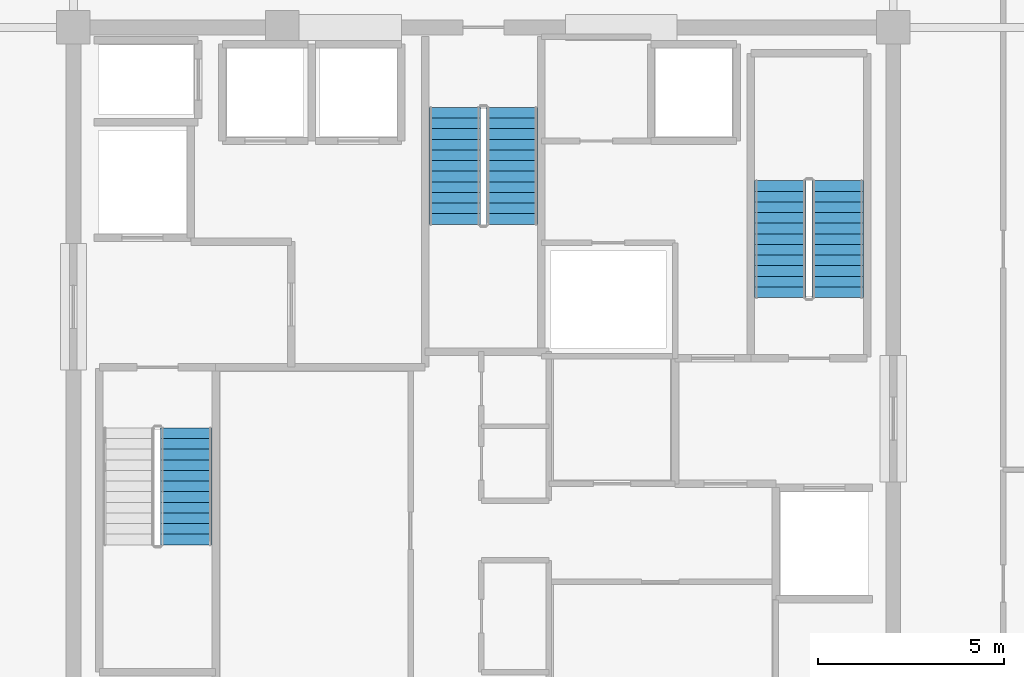
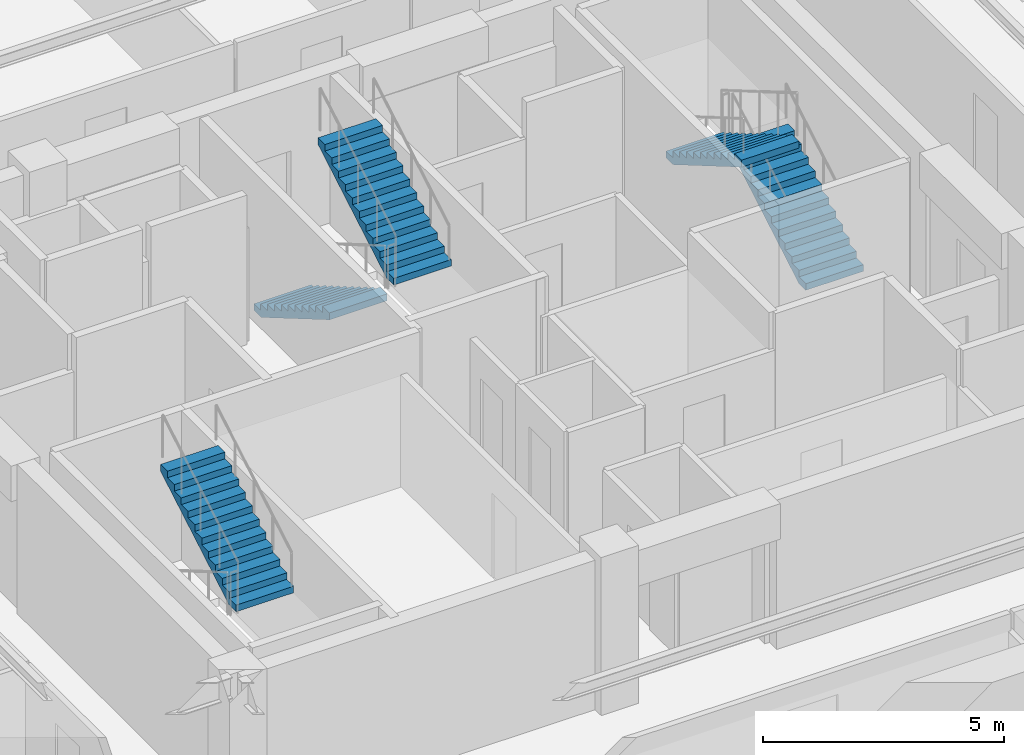
# One storey, part 16 of 20: 5 stair flights, 3 elements without a shape of their own.
"""IFC4 building model written with IfcOpenShell, lengths in metres."""

from ifc_helpers import new_model, si_unit, direction, frame, origin, place, context, subcontext, project, spatial, polyline, outline, extrude, material, type_object, element, aggregate, save


model = new_model("IFC4")

# Units and contexts
model_context = context("Model", 3, precision=1e-05, world=origin(), true_north=direction((0.0, 1.0)))
body_context = subcontext(model_context, "Body", "Model", "MODEL_VIEW")
ifc_project = project(units=[si_unit("LENGTHUNIT", "METRE"), si_unit("AREAUNIT", "SQUARE_METRE"), si_unit("VOLUMEUNIT", "CUBIC_METRE"), si_unit("PLANEANGLEUNIT", "RADIAN"), si_unit("MASSUNIT", "GRAM", prefix="KILO")], contexts=[model_context])

# Site, building, storey
site_placement = place(None, origin())
site = spatial("IfcSite", under=ifc_project, at=site_placement, CompositionType="ELEMENT")
building_placement = place(site_placement, origin())
building = spatial("IfcBuilding", under=site, at=building_placement, Name="Kovane Verandah Tower", CompositionType="ELEMENT")
storey_placement = place(building_placement, frame((0.0, 0.0, 322.800048828125)))
storey = spatial("IfcBuildingStorey", under=building, at=storey_placement, Name="L75", CompositionType="ELEMENT", Elevation=322.800048828125)

# Stair, stair flight
ifc_material = material(Name="Concrete C45/55", Category="concrete")
stair_type = type_object("IfcStairType", Name="ST-CORE-1380", PredefinedType="HALF_TURN_STAIR", material=ifc_material)
stair_1_placement = place(storey_placement, origin())
stair_1 = element("IfcStair", 1, at=stair_1_placement, inside=storey, type_object=stair_type, Name="L75 Exit Stair ST-01", PredefinedType="HALF_TURN_STAIR")
stair_flight_type = type_object("IfcStairFlightType", Name="STF-CORE-1380", PredefinedType="STRAIGHT", material=ifc_material)
stair_flight_1_placement = place(storey_placement, frame((32.030029296875, 22.614990234375, 2.0), z_axis=(0.0, 0.0, 1.0), x_axis=(0.0, 1.0, 0.0)))
stair_flight_1 = element("IfcStairFlight", 2, at=stair_flight_1_placement, type_object=stair_flight_type, Name="ST-01 flight 2", NumberOfRisers=12, NumberOfTreads=11, PredefinedType="STRAIGHT", RiserHeight=0.166666667, TreadLength=0.285, context=body_context, shape_type="SweptSolid", body=[
    extrude(outline(polyline([(0.0, 0.0), (0.0, 0.166748046875), (0.284912109375, 0.166748046875), (0.284912109375, 0.333251953125), (0.570068359375, 0.333251953125), (0.570068359375, 0.5), (0.85498046875, 0.5), (0.85498046875, 0.666748046875), (1.139892578125, 0.666748046875), (1.139892578125, 0.833251953125), (1.425048828125, 0.833251953125), (1.425048828125, 1.0), (1.7099609375, 1.0), (1.7099609375, 1.166748046875), (1.9951171875, 1.166748046875), (1.9951171875, 1.333251953125), (2.280029296875, 1.333251953125), (2.280029296875, 1.5), (2.56494140625, 1.5), (2.56494140625, 1.666748046875), (2.85009765625, 1.666748046875), (2.85009765625, 1.833251953125), (3.135009765625, 1.833251953125), (3.135009765625, 2.0), (3.135009765625, 1.65966796875), (0.296875, 0.0), (0.0, 0.0)])), frame((0.0, 0.68994140625, 0.0), z_axis=(0.0, -1.0, 0.0), x_axis=(1.0, 0.0, 0.0)), (0.0, 0.0, 1.0), 1.3798828125),
])
aggregate(stair_1, [stair_flight_1])

# Stair, stair flights
stair_2_placement = place(storey_placement, origin())
stair_2 = element("IfcStair", 3, at=stair_2_placement, inside=storey, type_object=stair_type, Name="L75 Exit Stair ST-02", PredefinedType="HALF_TURN_STAIR")
stair_flight_2_placement = place(storey_placement, frame((49.510009765625, 29.25, 0.0), z_axis=(0.0, 0.0, 1.0), x_axis=(0.0, 1.0, 0.0)))
stair_flight_2 = element("IfcStairFlight", 4, at=stair_flight_2_placement, type_object=stair_flight_type, Name="ST-02 flight 1", NumberOfRisers=12, NumberOfTreads=11, PredefinedType="STRAIGHT", RiserHeight=0.166666667, TreadLength=0.285, context=body_context, shape_type="SweptSolid", body=[
    extrude(outline(polyline([(0.0, 0.0), (0.0, 0.166748046875), (0.284912109375, 0.166748046875), (0.284912109375, 0.333251953125), (0.570068359375, 0.333251953125), (0.570068359375, 0.5), (0.85498046875, 0.5), (0.85498046875, 0.666748046875), (1.139892578125, 0.666748046875), (1.139892578125, 0.833251953125), (1.425048828125, 0.833251953125), (1.425048828125, 1.0), (1.7099609375, 1.0), (1.7099609375, 1.166748046875), (1.9951171875, 1.166748046875), (1.9951171875, 1.333251953125), (2.280029296875, 1.333251953125), (2.280029296875, 1.5), (2.56494140625, 1.5), (2.56494140625, 1.666748046875), (2.85009765625, 1.666748046875), (2.85009765625, 1.833251953125), (3.135009765625, 1.833251953125), (3.135009765625, 2.0), (3.135009765625, 1.65966796875), (0.296875, 0.0), (0.0, 0.0)])), frame((0.0, 0.68994140625, 0.0), z_axis=(0.0, -1.0, 0.0), x_axis=(1.0, 0.0, 0.0)), (0.0, 0.0, 1.0), 1.3798828125),
])
stair_flight_3_placement = place(storey_placement, frame((47.969970703125, 32.385009765625, 2.0), z_axis=(0.0, 0.0, 1.0), x_axis=(0.0, -1.0, 0.0)))
stair_flight_3 = element("IfcStairFlight", 5, at=stair_flight_3_placement, type_object=stair_flight_type, Name="ST-02 flight 2", NumberOfRisers=12, NumberOfTreads=11, PredefinedType="STRAIGHT", RiserHeight=0.166666667, TreadLength=0.285, context=body_context, shape_type="SweptSolid", body=[
    extrude(outline(polyline([(0.0, 0.0), (0.0, 0.166748046875), (0.284912109375, 0.166748046875), (0.284912109375, 0.333251953125), (0.570068359375, 0.333251953125), (0.570068359375, 0.5), (0.85498046875, 0.5), (0.85498046875, 0.666748046875), (1.139892578125, 0.666748046875), (1.139892578125, 0.833251953125), (1.425048828125, 0.833251953125), (1.425048828125, 1.0), (1.7099609375, 1.0), (1.7099609375, 1.166748046875), (1.9951171875, 1.166748046875), (1.9951171875, 1.333251953125), (2.280029296875, 1.333251953125), (2.280029296875, 1.5), (2.56494140625, 1.5), (2.56494140625, 1.666748046875), (2.85009765625, 1.666748046875), (2.85009765625, 1.833251953125), (3.135009765625, 1.833251953125), (3.135009765625, 2.0), (3.135009765625, 1.65966796875), (0.296875, 0.0), (0.0, 0.0)])), frame((0.0, 0.68994140625, 0.0), z_axis=(0.0, -1.0, 0.0), x_axis=(1.0, 0.0, 0.0)), (0.0, 0.0, 1.0), 1.3798828125),
])
aggregate(stair_2, [stair_flight_2, stair_flight_3])

stair_3_placement = place(storey_placement, origin())
stair_3 = element("IfcStair", 6, at=stair_3_placement, inside=storey, type_object=stair_type, Name="L75 Exit Stair ST-03", PredefinedType="HALF_TURN_STAIR")
stair_flight_4_placement = place(storey_placement, frame((39.22998046875, 34.35009765625, 0.0), z_axis=(0.0, 0.0, 1.0), x_axis=(0.0, -1.0, 0.0)))
stair_flight_4 = element("IfcStairFlight", 7, at=stair_flight_4_placement, type_object=stair_flight_type, Name="ST-03 flight 1", NumberOfRisers=12, NumberOfTreads=11, PredefinedType="STRAIGHT", RiserHeight=0.166666667, TreadLength=0.285, context=body_context, shape_type="SweptSolid", body=[
    extrude(outline(polyline([(0.0, 0.0), (0.0, 0.166748046875), (0.284912109375, 0.166748046875), (0.284912109375, 0.333251953125), (0.570068359375, 0.333251953125), (0.570068359375, 0.5), (0.85498046875, 0.5), (0.85498046875, 0.666748046875), (1.139892578125, 0.666748046875), (1.139892578125, 0.833251953125), (1.425048828125, 0.833251953125), (1.425048828125, 1.0), (1.7099609375, 1.0), (1.7099609375, 1.166748046875), (1.9951171875, 1.166748046875), (1.9951171875, 1.333251953125), (2.280029296875, 1.333251953125), (2.280029296875, 1.5), (2.56494140625, 1.5), (2.56494140625, 1.666748046875), (2.85009765625, 1.666748046875), (2.85009765625, 1.833251953125), (3.135009765625, 1.833251953125), (3.135009765625, 2.0), (3.135009765625, 1.65966796875), (0.296875, 0.0), (0.0, 0.0)])), frame((0.0, 0.68994140625, 0.0), z_axis=(0.0, -1.0, 0.0), x_axis=(1.0, 0.0, 0.0)), (0.0, 0.0, 1.0), 1.3798828125),
])
stair_flight_5_placement = place(storey_placement, frame((40.77001953125, 31.215087890625, 2.0), z_axis=(0.0, 0.0, 1.0), x_axis=(0.0, 1.0, 0.0)))
stair_flight_5 = element("IfcStairFlight", 8, at=stair_flight_5_placement, type_object=stair_flight_type, Name="ST-03 flight 2", NumberOfRisers=12, NumberOfTreads=11, PredefinedType="STRAIGHT", RiserHeight=0.166666667, TreadLength=0.285, context=body_context, shape_type="SweptSolid", body=[
    extrude(outline(polyline([(0.0, 0.0), (0.0, 0.166748046875), (0.284912109375, 0.166748046875), (0.284912109375, 0.333251953125), (0.570068359375, 0.333251953125), (0.570068359375, 0.5), (0.85498046875, 0.5), (0.85498046875, 0.666748046875), (1.139892578125, 0.666748046875), (1.139892578125, 0.833251953125), (1.425048828125, 0.833251953125), (1.425048828125, 1.0), (1.7099609375, 1.0), (1.7099609375, 1.166748046875), (1.9951171875, 1.166748046875), (1.9951171875, 1.333251953125), (2.280029296875, 1.333251953125), (2.280029296875, 1.5), (2.56494140625, 1.5), (2.56494140625, 1.666748046875), (2.85009765625, 1.666748046875), (2.85009765625, 1.833251953125), (3.135009765625, 1.833251953125), (3.135009765625, 2.0), (3.135009765625, 1.65966796875), (0.296875, 0.0), (0.0, 0.0)])), frame((0.0, 0.68994140625, 0.0), z_axis=(0.0, -1.0, 0.0), x_axis=(1.0, 0.0, 0.0)), (0.0, 0.0, 1.0), 1.3798828125),
])
aggregate(stair_3, [stair_flight_4, stair_flight_5])

save(model, "model.ifc")
